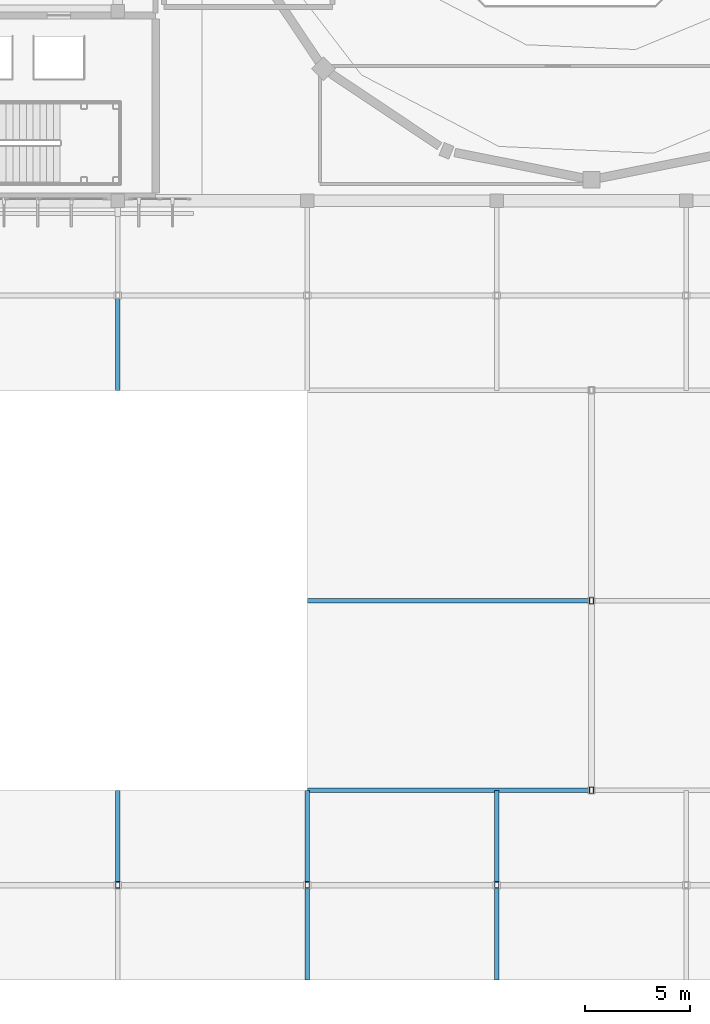
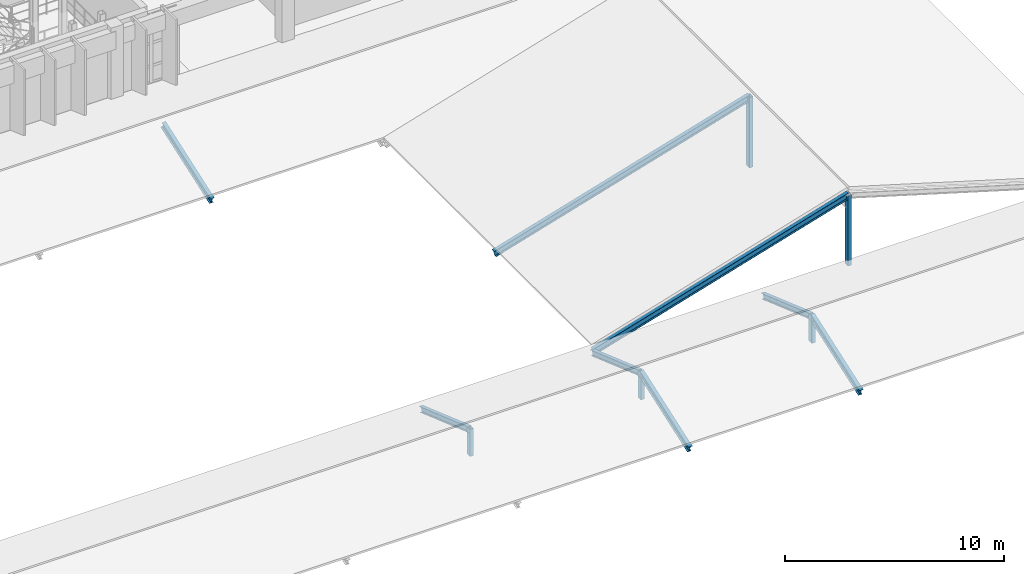
# One storey, part 11 of 80: 13 members.
"""IFC4 building model written with IfcOpenShell, lengths in metres."""

from ifc_helpers import new_model, si_unit, direction, frame, origin, origin_2d, place, context, subcontext, project, spatial, hollow_rectangle, i_section, extrude, material, material_profile, profile_set, type_object, element, save


model = new_model("IFC4")

# Units and contexts
model_context = context("Model", 3, precision=1e-05, world=origin(), true_north=direction((0.0, 1.0)))
body_context = subcontext(model_context, "Body", "Model", "MODEL_VIEW")
ifc_project = project(units=[si_unit("LENGTHUNIT", "METRE"), si_unit("AREAUNIT", "SQUARE_METRE"), si_unit("VOLUMEUNIT", "CUBIC_METRE"), si_unit("PLANEANGLEUNIT", "RADIAN"), si_unit("MASSUNIT", "GRAM", prefix="KILO")], contexts=[model_context])

# Site, building, storey
site_placement = place(None, origin())
site = spatial("IfcSite", under=ifc_project, at=site_placement, CompositionType="ELEMENT")
building_placement = place(site_placement, origin())
building = spatial("IfcBuilding", under=site, at=building_placement, Name="Miravela Opera House", CompositionType="ELEMENT")
storey_placement = place(building_placement, frame((0.0, 0.0, 17.679931640625)))
storey = spatial("IfcBuildingStorey", under=building, at=storey_placement, Name="L04", CompositionType="ELEMENT", Elevation=17.679931640625)

# Members
ifc_material_1 = material(Name="Hollow structural steel ASTM A500 Gr. C", Category="steel")
ifc_material_profile_1 = material_profile(ifc_material_1, hollow_rectangle(XDim=0.199951171875, YDim=0.300048828125, WallThickness=0.011962890625, InnerFilletRadius=0.011962890625, OuterFilletRadius=0.02392578125, at=origin_2d()), Name="HSS300X200X12")
ifc_profile_set_1 = profile_set([ifc_material_profile_1])
member_type_1 = type_object("IfcMemberType", Name="STR-MEM-POST-HSS300X200", PredefinedType="POST", material=ifc_profile_set_1)
for number, where, z_axis, x_axis, name in (
    (1, (54.0, 4.5, -0.25), (0.0, 0.0, 1.0), (1.0, 0.0, 0.0), "Roof Ridge Support Post ROOF-V4-WEST-S M4"),
    (2, (63.0, 4.5, -0.25), (0.0, 0.0, 1.0), (1.0, 0.0, 0.0), "Roof Ridge Support Post ROOF-V4-WEST-S M5"),
    (3, (72.0, 4.5, -0.25), (0.0, 0.0, 1.0), (1.0, 0.0, 0.0), "Roof Ridge Support Post ROOF-V4-WEST-S M6"),
):
    element("IfcMember", number, at=place(storey_placement, frame(where, z_axis=z_axis, x_axis=x_axis)), inside=storey, type_object=member_type_1, Name=name, PredefinedType="POST", context=body_context, shape_type="SweptSolid", body=[
        extrude(hollow_rectangle(XDim=0.199951171875, YDim=0.300048828125, WallThickness=0.011962890625, InnerFilletRadius=0.011962890625, OuterFilletRadius=0.02392578125, at=origin_2d()), origin(), (0.0, 0.0, 1.0), 1.510009765625),
    ])
for number, where, z_axis, x_axis, name in (
    (4, (76.5, 9.0, -0.25), (0.0, 0.0, 1.0), (1.0, 0.0, 0.0), "Roof Gable King Post ROOF-V4-MID S"),
    (5, (76.5, 18.0, -0.25), (0.0, 0.0, 1.0), (1.0, 0.0, 0.0), "Roof Ridge Support Post ROOF-V4-MID M1"),
):
    element("IfcMember", number, at=place(storey_placement, frame(where, z_axis=z_axis, x_axis=x_axis)), inside=storey, type_object=member_type_1, Name=name, PredefinedType="POST", context=body_context, shape_type="SweptSolid", body=[
        extrude(hollow_rectangle(XDim=0.199951171875, YDim=0.300048828125, WallThickness=0.011962890625, InnerFilletRadius=0.011962890625, OuterFilletRadius=0.02392578125, at=origin_2d()), origin(), (0.0, 0.0, 1.0), 3.920166015625),
    ])
ifc_material_2 = material(Name="Structural steel ASTM A992 Gr. 50", Category="steel")
ifc_material_profile_2 = material_profile(ifc_material_2, i_section(OverallWidth=0.2041015625, OverallDepth=0.35009765625, WebThickness=0.008544921875, FlangeThickness=0.01513671875, FilletRadius=0.013916015625, at=origin_2d()), Name="W360X72")
ifc_profile_set_2 = profile_set([ifc_material_profile_2])
member_type_2 = type_object("IfcMemberType", Name="STR-MEM-RAFTER-1", PredefinedType="RAFTER", material=ifc_profile_set_2)
for number, where, z_axis, x_axis, name in (
    (6, (54.0, 28.050048828125, -0.39990234375), (0.0, 0.943687918104, 0.3308369889), (-1.0, 0.0, 0.0), "Pitched Roof Rafter ROOF-V4-WEST-N S4"),
    (7, (63.0, 0.050048828125, -0.39990234375), (0.0, 0.943687918104, 0.3308369889), (-1.0, 0.0, 0.0), "Pitched Roof Rafter ROOF-V4-WEST-S S5"),
    (8, (72.0, 0.050048828125, -0.39990234375), (0.0, 0.943687918104, 0.3308369889), (-1.0, 0.0, 0.0), "Pitched Roof Rafter ROOF-V4-WEST-S S6"),
):
    element("IfcMember", number, at=place(storey_placement, frame(where, z_axis=z_axis, x_axis=x_axis)), inside=storey, type_object=member_type_2, Name=name, PredefinedType="RAFTER", context=body_context, shape_type="SweptSolid", body=[
        extrude(i_section(OverallWidth=0.2041015625, OverallDepth=0.35009765625, WebThickness=0.008544921875, FlangeThickness=0.01513671875, FilletRadius=0.013916015625, at=origin_2d()), origin(), (0.0, 0.0, 1.0), 4.715576171875),
    ])
for number, where, z_axis, x_axis, name in (
    (9, (63.050048828125, 9.0, -0.39990234375), (0.958314670289, 0.0, 0.285714880098), (0.0, 1.0, 0.0), "Pitched Roof Rafter ROOF-V4-MID W0"),
    (10, (63.050048828125, 18.0, -0.39990234375), (0.958314670289, 0.0, 0.285714880098), (0.0, 1.0, 0.0), "Pitched Roof Rafter ROOF-V4-MID W1"),
):
    element("IfcMember", number, at=place(storey_placement, frame(where, z_axis=z_axis, x_axis=x_axis)), inside=storey, type_object=member_type_2, Name=name, PredefinedType="RAFTER", context=body_context, shape_type="SweptSolid", body=[
        extrude(i_section(OverallWidth=0.2041015625, OverallDepth=0.35009765625, WebThickness=0.008544921875, FlangeThickness=0.01513671875, FilletRadius=0.013916015625, at=origin_2d()), origin(), (0.0, 0.0, 1.0), 14.034912109375),
    ])
ifc_material_profile_3 = material_profile(ifc_material_2, i_section(OverallWidth=0.202880859375, OverallDepth=0.302978515625, WebThickness=0.007568359375, FlangeThickness=0.01318359375, FilletRadius=0.012939453125, at=origin_2d()), Name="W310X60")
ifc_profile_set_3 = profile_set([ifc_material_profile_3])
member_type_3 = type_object("IfcMemberType", Name="STR-MEM-RAFTER-2", PredefinedType="RAFTER", material=ifc_profile_set_3)
for number, where, z_axis, x_axis, name in (
    (11, (54.0, 8.949951171875, -0.39990234375), (0.0, -0.943687918104, 0.3308369889), (1.0, 0.0, 0.0), "Pitched Roof Rafter ROOF-V4-WEST-S N4"),
    (12, (63.0, 8.949951171875, -0.39990234375), (0.0, -0.943687918104, 0.3308369889), (1.0, 0.0, 0.0), "Pitched Roof Rafter ROOF-V4-WEST-S N5"),
    (13, (72.0, 8.949951171875, -0.39990234375), (0.0, -0.943687918104, 0.3308369889), (1.0, 0.0, 0.0), "Pitched Roof Rafter ROOF-V4-WEST-S N6"),
):
    element("IfcMember", number, at=place(storey_placement, frame(where, z_axis=z_axis, x_axis=x_axis)), inside=storey, type_object=member_type_3, Name=name, PredefinedType="RAFTER", context=body_context, shape_type="SweptSolid", body=[
        extrude(i_section(OverallWidth=0.202880859375, OverallDepth=0.302978515625, WebThickness=0.007568359375, FlangeThickness=0.01318359375, FilletRadius=0.012939453125, at=origin_2d()), origin(), (0.0, 0.0, 1.0), 4.715576171875),
    ])

save(model, "model.ifc")
